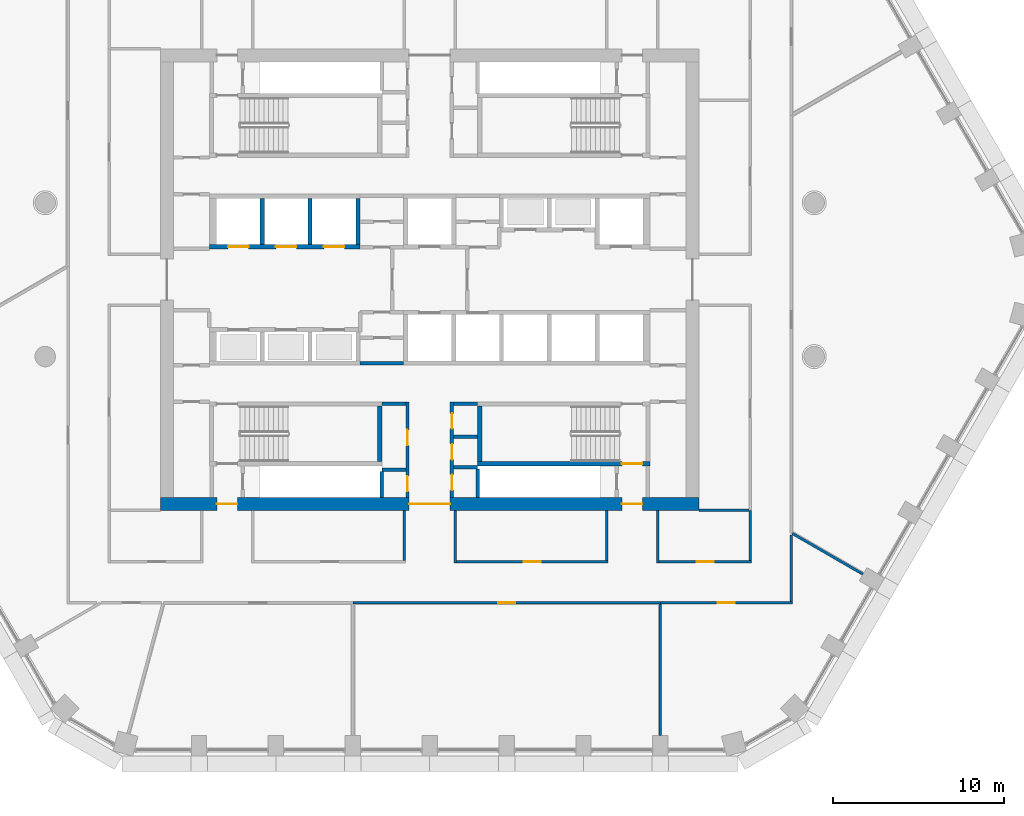
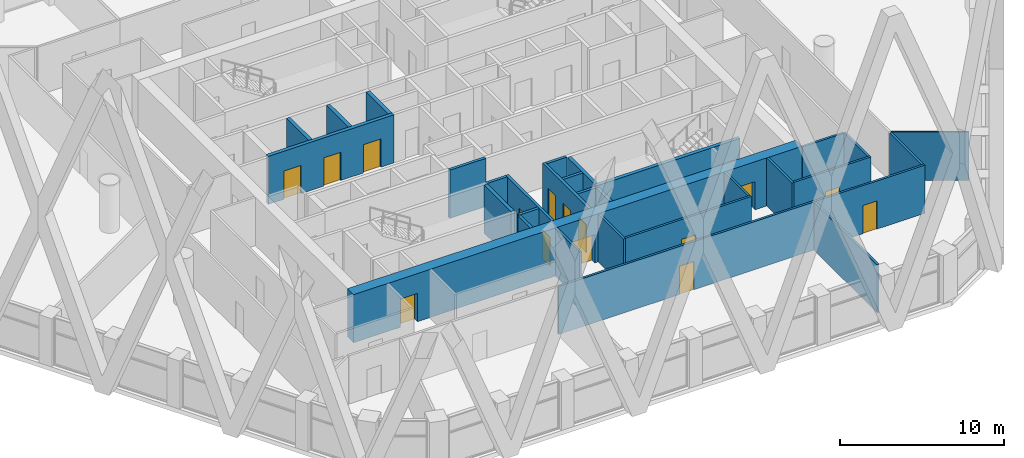
# One storey, part 10 of 24: 31 walls, 16 doors, 16 openings.
"""IFC4 building model written with IfcOpenShell, lengths in metres."""

import ifcopenshell
import ifcopenshell.guid

model = None  # the IFC model being written
_history = None  # IfcOwnerHistory: only IFC2X3 demands one
_inside = {}  # id of a spatial element -> (the spatial element, [elements in it])
_under = {}  # id of a project, library or spatial element -> (it, [spatial elements below it])
_declared = {}  # id of a project -> (the project, [libraries it declares])
_typed = {}  # id of a type object -> (the type object, [elements of that type])
_made_of = {}  # id of a material, layer set ... -> (it, [elements and type objects made of it])


def new_model(schema):
    """Start an empty IFC model of exactly this schema.

    Asked for "IFC4X3", IfcOpenShell would pick the latest addendum, in which some entities
    have other attributes; the version numbers below select the first issue.
    IFC2X3 requires an IfcOwnerHistory on every rooted entity: one is made here for all.
    """
    global model, _history
    if schema == "IFC4X3":
        model = ifcopenshell.file(schema_version=(4, 3, 0, 0))
    else:
        model = ifcopenshell.file(schema=schema)
    _inside.clear()
    _under.clear()
    _declared.clear()
    _typed.clear()
    _made_of.clear()
    _history = None
    if model.schema == "IFC2X3":
        org = make("IfcOrganization", Name="unknown")
        user = make(
            "IfcPersonAndOrganization",
            ThePerson=make("IfcPerson", FamilyName="unknown"),
            TheOrganization=org,
        )
        app = make(
            "IfcApplication",
            ApplicationDeveloper=org,
            Version="unknown",
            ApplicationFullName="unknown",
            ApplicationIdentifier="unknown",
        )
        _history = make(
            "IfcOwnerHistory",
            OwningUser=user,
            OwningApplication=app,
            ChangeAction="ADDED",
            CreationDate=0,
        )
    return model


def make(cls, **values):
    """One entity of the class cls with the attributes given. An attribute that is None is left unset."""
    return model.create_entity(
        cls, **{name: value for name, value in values.items() if value is not None}
    )


def rooted(cls, **values):
    """An entity with a GlobalId (a new one), such as an element, a storey or a relation."""
    return make(cls, GlobalId=ifcopenshell.guid.new(), OwnerHistory=_history, **values)


def si_unit(unit_type, name, prefix=None):
    """IfcSIUnit, for example si_unit("LENGTHUNIT", "METRE", prefix="MILLI")."""
    return make("IfcSIUnit", UnitType=unit_type, Prefix=prefix, Name=name)


def assignment(units):
    """IfcUnitAssignment: the units of a project."""
    return None if units is None else make("IfcUnitAssignment", Units=units)


def point(xyz):
    """IfcCartesianPoint."""
    return None if xyz is None else make("IfcCartesianPoint", Coordinates=xyz)


def direction(xyz):
    """IfcDirection."""
    return None if xyz is None else make("IfcDirection", DirectionRatios=xyz)


def frame(location, z_axis=None, x_axis=None):
    """IfcAxis2Placement3D, a coordinate frame: its origin and axes. An axis left out is left unset."""
    return make(
        "IfcAxis2Placement3D",
        Location=point(location),
        Axis=direction(z_axis),
        RefDirection=direction(x_axis),
    )


def frame_2d(location, x_axis=None):
    """IfcAxis2Placement2D, a coordinate frame in the plane: its origin and x axis."""
    return make(
        "IfcAxis2Placement2D", Location=point(location), RefDirection=direction(x_axis)
    )


def origin():
    """The frame at (0, 0, 0) with its axes left unset."""
    return frame((0.0, 0.0, 0.0))


def place(relative_to, where):
    """IfcLocalPlacement: puts the frame where relative to a parent placement (None: the world)."""
    return make(
        "IfcLocalPlacement", PlacementRelTo=relative_to, RelativePlacement=where
    )


def context(
    kind, dimensions, precision=None, world=None, true_north=None, identifier=None
):
    """IfcGeometricRepresentationContext, for example the 3D "Model" context."""
    return make(
        "IfcGeometricRepresentationContext",
        ContextIdentifier=identifier,
        ContextType=kind,
        CoordinateSpaceDimension=dimensions,
        Precision=precision,
        WorldCoordinateSystem=world,
        TrueNorth=true_north,
    )


def subcontext(parent, identifier, kind, view, scale=None):
    """IfcGeometricRepresentationSubContext, for example "Body" below "Model"."""
    return make(
        "IfcGeometricRepresentationSubContext",
        ContextIdentifier=identifier,
        ContextType=kind,
        ParentContext=parent,
        TargetScale=scale,
        TargetView=view,
    )


def project(units=None, contexts=None):
    """IfcProject with its units and contexts."""
    return rooted(
        "IfcProject",
        Name="project",
        RepresentationContexts=contexts,
        UnitsInContext=assignment(units),
    )


def spatial(cls, under=None, at=None, **own):
    """A site, building, storey or space (cls), placed at a placement, below another one or the project."""
    s = rooted(cls, ObjectPlacement=at, **own)
    if under is not None:
        _under.setdefault(under.id(), (under, []))[1].append(s)
    return s


def polyline(points):
    """IfcPolyline through the points."""
    return make("IfcPolyline", Points=[point(p) for p in points])


def profile(cls, at=None, kind="AREA", **sizes):
    """A parametric profile (cls). Its sizes go by their IFC names, for example OverallWidth=200.0."""
    return make(cls, ProfileType=kind, Position=at, **sizes)


def rectangle(**sizes):
    """IfcRectangleProfileDef."""
    return profile("IfcRectangleProfileDef", **sizes)


def outline(outer, holes=None, kind="AREA"):
    """IfcArbitraryClosedProfileDef: a profile drawn as a closed curve; with holes, ...WithVoids."""
    if holes is None:
        return make("IfcArbitraryClosedProfileDef", ProfileType=kind, OuterCurve=outer)
    return make(
        "IfcArbitraryProfileDefWithVoids",
        ProfileType=kind,
        OuterCurve=outer,
        InnerCurves=holes,
    )


def extrude(swept, where, along, depth):
    """IfcExtrudedAreaSolid: the profile swept, set in the frame where, extruded along a direction by depth."""
    return make(
        "IfcExtrudedAreaSolid",
        SweptArea=swept,
        Position=where,
        ExtrudedDirection=direction(along),
        Depth=depth,
    )


def shape(context_of_items, identifier, shape_type, items):
    """IfcShapeRepresentation: the items that make up one representation, for example the "Body"."""
    return make(
        "IfcShapeRepresentation",
        ContextOfItems=context_of_items,
        RepresentationIdentifier=identifier,
        RepresentationType=shape_type,
        Items=items,
    )


def material(Name=None, Category=None):
    """IfcMaterial."""
    return make("IfcMaterial", Name=Name, Category=Category)


def layer(
    of_material, thickness, ventilated=None, Name=None, Category=None, Priority=None
):
    """IfcMaterialLayer: one layer of a wall or slab, of a material (None: an air gap)."""
    return make(
        "IfcMaterialLayer",
        Material=of_material,
        LayerThickness=thickness,
        IsVentilated=ventilated,
        Name=Name,
        Category=Category,
        Priority=Priority,
    )


def layer_set(layers, Name=None):
    """IfcMaterialLayerSet."""
    return make("IfcMaterialLayerSet", MaterialLayers=layers, LayerSetName=Name)


def made_of(thing, what):
    """Note that an element or type object is made of a material, layer set ...; save() writes the relation."""
    if what is not None:
        _made_of.setdefault(what.id(), (what, []))[1].append(thing)
    return thing


def type_object(cls, material=None, **own):
    """A type object (cls), such as IfcWallType, which elements share."""
    return made_of(rooted(cls, **own), material)


def element(
    cls,
    number,
    at=None,
    inside=None,
    cuts=None,
    type_object=None,
    material=None,
    context=None,
    identifier="Body",
    shape_type=None,
    held_by="IfcProductDefinitionShape",
    body=None,
    shapes=None,
    **own,
):
    """One element of the class cls, such as IfcWall. Its Tag is "e" and its number.

    at: its placement. inside: the storey or other place that contains it. cuts: it is an
    opening in that element (IfcRelVoidsElement). A single representation is given by context,
    identifier, shape_type and body (its items); several are given by shapes. held_by: the class
    of the entity that holds the representations. save() writes the other relations.
    """
    e = rooted(cls, Tag="e%d" % number, ObjectPlacement=at, **own)
    if body is not None:
        shapes = [shape(context, identifier, shape_type, body)]
    if shapes is not None:
        e.Representation = make(held_by, Representations=shapes)
    if inside is not None:
        _inside.setdefault(inside.id(), (inside, []))[1].append(e)
    if cuts is not None:
        rooted(
            "IfcRelVoidsElement", RelatingBuildingElement=cuts, RelatedOpeningElement=e
        )
    if type_object is not None:
        _typed.setdefault(type_object.id(), (type_object, []))[1].append(e)
    return made_of(e, material)


def fill(opening, filler):
    """IfcRelFillsElement: the door or window that sits in an opening."""
    return rooted(
        "IfcRelFillsElement",
        RelatingOpeningElement=opening,
        RelatedBuildingElement=filler,
    )


def aggregate(whole, parts):
    """IfcRelAggregates: a whole, such as a stair, and the parts it consists of."""
    return rooted("IfcRelAggregates", RelatingObject=whole, RelatedObjects=parts)


def save(model, path):
    """Write the relations noted so far, then the file.

    IfcRelAggregates (storeys below a building ...), IfcRelContainedInSpatialStructure (elements
    in a storey), IfcRelDefinesByType, IfcRelAssociatesMaterial and IfcRelDeclares: one each for
    every whole, place, type object, material and project.
    """
    for whole, parts in _under.values():
        aggregate(whole, parts)
    for where, things in _inside.values():
        rooted(
            "IfcRelContainedInSpatialStructure",
            RelatedElements=things,
            RelatingStructure=where,
        )
    for kind, things in _typed.values():
        rooted("IfcRelDefinesByType", RelatedObjects=things, RelatingType=kind)
    for what, things in _made_of.values():
        rooted("IfcRelAssociatesMaterial", RelatedObjects=things, RelatingMaterial=what)
    for by, libraries in _declared.values():
        rooted("IfcRelDeclares", RelatingContext=by, RelatedDefinitions=libraries)
    model.write(path)


model = new_model("IFC4")

# Units and contexts
model_context = context("Model", 3, precision=1e-05, world=origin(), true_north=direction((0.0, 1.0)))
body_context = subcontext(model_context, "Body", "Model", "MODEL_VIEW")
ifc_project = project(units=[si_unit("LENGTHUNIT", "METRE"), si_unit("AREAUNIT", "SQUARE_METRE"), si_unit("VOLUMEUNIT", "CUBIC_METRE"), si_unit("PLANEANGLEUNIT", "RADIAN"), si_unit("MASSUNIT", "GRAM", prefix="KILO")], contexts=[model_context])

# Site, building, storey
site_placement = place(None, origin())
site = spatial("IfcSite", under=ifc_project, at=site_placement, CompositionType="ELEMENT")
building_placement = place(site_placement, origin())
building = spatial("IfcBuilding", under=site, at=building_placement, Name="Dhurran Vertical Campus", CompositionType="ELEMENT")
storey_placement = place(building_placement, frame((0.0, 0.0, 132.60009765625)))
storey = spatial("IfcBuildingStorey", under=building, at=storey_placement, Name="L32", CompositionType="ELEMENT", Elevation=132.60009765625)

# Wall, openings, doors
ifc_material_1 = material(Name="Concrete C60/75", Category="concrete")
ifc_layer_1 = layer(ifc_material_1, 0.75)
ifc_layer_set_1 = layer_set([ifc_layer_1], Name="Concrete C60/75")
wall_type_1 = type_object("IfcWallType", Name="co-CORE-WALL-C1-750", PredefinedType="SHEAR", material=ifc_layer_set_1)
wall_1_placement = place(storey_placement, frame((-15.75, -13.125, 0.0), z_axis=(0.0, 0.0, 1.0), x_axis=(1.0, 0.0, 0.0)))
wall_1 = element("IfcWall", 1, at=wall_1_placement, inside=storey, type_object=wall_type_1, Name="Core wall S L32", PredefinedType="SHEAR", context=body_context, shape_type="SweptSolid", body=[
    extrude(rectangle(XDim=31.5, YDim=0.75, at=frame_2d((15.75, 0.0))), origin(), (0.0, 0.0, 1.0), 3.574951171875),
])
opening_1_placement = place(wall_1_placement, frame((14.550048828125, 0.0, 0.0)))
opening_1 = element("IfcOpeningElement", 2, at=opening_1_placement, cuts=wall_1, Name="Opening CV2", PredefinedType="OPENING", context=body_context, shape_type="SweptSolid", body=[
    extrude(rectangle(XDim=2.39990234375, YDim=2.10009765625, at=frame_2d((1.199951171875, 1.050048828125))), frame((0.0, 0.385009765625, 0.0), z_axis=(0.0, -1.0, 0.0), x_axis=(1.0, 0.0, 0.0)), (0.0, 0.0, 1.0), 0.77001953125),
])
opening_2_placement = place(wall_1_placement, frame((3.300048828125, 0.0, 0.0)))
opening_2 = element("IfcOpeningElement", 3, at=opening_2_placement, cuts=wall_1, Name="Opening XD3", PredefinedType="OPENING", context=body_context, shape_type="SweptSolid", body=[
    extrude(rectangle(XDim=1.199951171875, YDim=2.10009765625, at=frame_2d((0.60009765625, 1.050048828125))), frame((0.0, 0.385009765625, 0.0), z_axis=(0.0, -1.0, 0.0), x_axis=(1.0, 0.0, 0.0)), (0.0, 0.0, 1.0), 0.77001953125),
])
opening_3_placement = place(wall_1_placement, frame((27.0, 0.0, 0.0)))
opening_3 = element("IfcOpeningElement", 4, at=opening_3_placement, cuts=wall_1, Name="Opening XD4", PredefinedType="OPENING", context=body_context, shape_type="SweptSolid", body=[
    extrude(rectangle(XDim=1.199951171875, YDim=2.10009765625, at=frame_2d((0.60009765625, 1.050048828125))), frame((0.0, 0.385009765625, 0.0), z_axis=(0.0, -1.0, 0.0), x_axis=(1.0, 0.0, 0.0)), (0.0, 0.0, 1.0), 0.77001953125),
])
ifc_material_2 = material(Name="Fire-rated glazed door set")
door_type_1 = type_object("IfcDoorType", Name="co-D-LOBBY 2400x2100", OperationType="DOUBLE_DOOR_DOUBLE_SWING", PredefinedType="DOOR", material=ifc_material_2)
door_1_placement = place(opening_1_placement, origin())
door_1 = element("IfcDoor", 5, at=door_1_placement, inside=storey, type_object=door_type_1, Name="Core vestibule door S L32", OperationType="DOUBLE_DOOR_DOUBLE_SWING", OverallHeight=2.10009765625, OverallWidth=2.39990234375, PredefinedType="DOOR", context=body_context, shape_type="SweptSolid", body=[
    extrude(rectangle(XDim=2.39990234375, YDim=2.10009765625, at=frame_2d((1.199951171875, 1.050048828125))), frame((0.0, 0.02490234375, 0.0), z_axis=(0.0, -1.0, 0.0), x_axis=(1.0, 0.0, 0.0)), (0.0, 0.0, 1.0), 0.050048828125),
])
fill(opening_1, door_1)
ifc_material_3 = material(Name="Fire-rated steel door set", Category="steel")
door_type_2 = type_object("IfcDoorType", Name="co-D-STAIR-EXIT 1200x2100", OperationType="SINGLE_SWING_RIGHT", PredefinedType="DOOR", material=ifc_material_3)
door_2_placement = place(opening_2_placement, origin())
door_2 = element("IfcDoor", 6, at=door_2_placement, inside=storey, type_object=door_type_2, Name="Stair ST3 exit door L32", OperationType="SINGLE_SWING_RIGHT", OverallHeight=2.10009765625, OverallWidth=1.199951171875, PredefinedType="DOOR", context=body_context, shape_type="SweptSolid", body=[
    extrude(rectangle(XDim=1.199951171875, YDim=2.10009765625, at=frame_2d((0.60009765625, 1.050048828125))), frame((0.0, 0.02490234375, 0.0), z_axis=(0.0, -1.0, 0.0), x_axis=(1.0, 0.0, 0.0)), (0.0, 0.0, 1.0), 0.050048828125),
])
fill(opening_2, door_2)
door_3_placement = place(opening_3_placement, origin())
door_3 = element("IfcDoor", 7, at=door_3_placement, inside=storey, type_object=door_type_2, Name="Stair ST4 exit door L32", OperationType="SINGLE_SWING_RIGHT", OverallHeight=2.10009765625, OverallWidth=1.199951171875, PredefinedType="DOOR", context=body_context, shape_type="SweptSolid", body=[
    extrude(rectangle(XDim=1.199951171875, YDim=2.10009765625, at=frame_2d((0.60009765625, 1.050048828125))), frame((0.0, 0.02490234375, 0.0), z_axis=(0.0, -1.0, 0.0), x_axis=(1.0, 0.0, 0.0)), (0.0, 0.0, 1.0), 0.050048828125),
])
fill(opening_3, door_3)

# Walls
ifc_material_4 = material(Name="Fire-rated masonry blockwork", Category="masonry")
ifc_layer_2 = layer(ifc_material_4, 0.199951171875)
ifc_layer_set_2 = layer_set([ifc_layer_2], Name="Fire-rated masonry blockwork")
wall_type_2 = type_object("IfcWallType", Name="co-FIRE-PARTITION-200", PredefinedType="PARTITIONING", material=ifc_layer_set_2)
for number, where, z_axis, x_axis, name in (
    (8, (-2.800048828125, -7.25, 0.0), (0.0, 0.0, 1.0), (1.0, 0.0, 0.0), "Core partition sl-SW-S L32"),
    (9, (-2.800048828125, -11.1298828125, 0.0), (0.0, 0.0, 1.0), (1.0, 0.0, 0.0), "Core partition sl-SW-cut0 L32"),
    (10, (1.39990234375, -7.25, 0.0), (0.0, 0.0, 1.0), (1.0, 0.0, 0.0), "Core partition sl-SE-S L32"),
    (11, (1.39990234375, -9.18603515625, 0.0), (0.0, 0.0, 1.0), (1.0, 0.0, 0.0), "Core partition sl-SE-cut0 L32"),
    (12, (1.39990234375, -10.968017578125, 0.0), (0.0, 0.0, 1.0), (1.0, 0.0, 0.0), "Core partition sl-SE-cut1 L32"),
):
    element("IfcWall", number, at=place(storey_placement, frame(where, z_axis=z_axis, x_axis=x_axis)), inside=storey, type_object=wall_type_2, Name=name, PredefinedType="PARTITIONING", context=body_context, shape_type="SweptSolid", body=[
        extrude(rectangle(XDim=1.400146484375, YDim=0.199951171875, at=frame_2d((0.7001953125, 0.0))), origin(), (0.0, 0.0, 1.0), 3.574951171875),
    ])

# Wall, openings, doors
wall_2_placement = place(storey_placement, frame((-1.300048828125, -12.75, 0.0), z_axis=(0.0, 0.0, 1.0), x_axis=(0.0, 1.0, 0.0)))
wall_2 = element("IfcWall", 13, at=wall_2_placement, inside=storey, type_object=wall_type_2, Name="Core partition vest-SW L32", PredefinedType="PARTITIONING", context=body_context, shape_type="SweptSolid", body=[
    extrude(rectangle(XDim=5.60009765625, YDim=0.199951171875, at=frame_2d((2.800048828125, 0.0))), origin(), (0.0, 0.0, 1.0), 3.574951171875),
])
opening_4_placement = place(wall_2_placement, frame((0.360107421875, 0.0, 0.0)))
opening_4 = element("IfcOpeningElement", 14, at=opening_4_placement, cuts=wall_2, Name="Opening T09-C1", PredefinedType="OPENING", context=body_context, shape_type="SweptSolid", body=[
    extrude(rectangle(XDim=0.89990234375, YDim=2.10009765625, at=frame_2d((0.449951171875, 1.050048828125))), frame((0.0, 0.10986328125, 0.0), z_axis=(0.0, -1.0, 0.0), x_axis=(1.0, 0.0, 0.0)), (0.0, 0.0, 1.0), 0.219970703125),
])
opening_5_placement = place(wall_2_placement, frame((3.06005859375, 0.0, 0.0)))
opening_5 = element("IfcOpeningElement", 15, at=opening_5_placement, cuts=wall_2, Name="Opening T09-C2", PredefinedType="OPENING", context=body_context, shape_type="SweptSolid", body=[
    extrude(rectangle(XDim=0.89990234375, YDim=2.10009765625, at=frame_2d((0.449951171875, 1.050048828125))), frame((0.0, 0.10986328125, 0.0), z_axis=(0.0, -1.0, 0.0), x_axis=(1.0, 0.0, 0.0)), (0.0, 0.0, 1.0), 0.219970703125),
])
ifc_material_5 = material(Name="Fire-rated timber door set", Category="wood")
door_type_3 = type_object("IfcDoorType", Name="co-D-ROOM 900x2100", OperationType="SINGLE_SWING_LEFT", PredefinedType="DOOR", material=ifc_material_5)
door_4_placement = place(opening_4_placement, origin())
door_4 = element("IfcDoor", 16, at=door_4_placement, inside=storey, type_object=door_type_3, Name="Pantry door L32", OperationType="SINGLE_SWING_LEFT", OverallHeight=2.10009765625, OverallWidth=0.89990234375, PredefinedType="DOOR", context=body_context, shape_type="SweptSolid", body=[
    extrude(rectangle(XDim=0.89990234375, YDim=2.10009765625, at=frame_2d((0.449951171875, 1.050048828125))), frame((0.0, 0.02490234375, 0.0), z_axis=(0.0, -1.0, 0.0), x_axis=(1.0, 0.0, 0.0)), (0.0, 0.0, 1.0), 0.050048828125),
])
fill(opening_4, door_4)
door_5_placement = place(opening_5_placement, origin())
door_5 = element("IfcDoor", 17, at=door_5_placement, inside=storey, type_object=door_type_3, Name="Communications room door L32", OperationType="SINGLE_SWING_LEFT", OverallHeight=2.10009765625, OverallWidth=0.89990234375, PredefinedType="DOOR", context=body_context, shape_type="SweptSolid", body=[
    extrude(rectangle(XDim=0.89990234375, YDim=2.10009765625, at=frame_2d((0.449951171875, 1.050048828125))), frame((0.0, 0.02490234375, 0.0), z_axis=(0.0, -1.0, 0.0), x_axis=(1.0, 0.0, 0.0)), (0.0, 0.0, 1.0), 0.050048828125),
])
fill(opening_5, door_5)

wall_3_placement = place(storey_placement, frame((1.300048828125, -12.75, 0.0), z_axis=(0.0, 0.0, 1.0), x_axis=(0.0, 1.0, 0.0)))
wall_3 = element("IfcWall", 18, at=wall_3_placement, inside=storey, type_object=wall_type_2, Name="Core partition vest-SE L32", PredefinedType="PARTITIONING", context=body_context, shape_type="SweptSolid", body=[
    extrude(rectangle(XDim=5.60009765625, YDim=0.199951171875, at=frame_2d((2.800048828125, 0.0))), origin(), (0.0, 0.0, 1.0), 3.574951171875),
])
opening_6_placement = place(wall_3_placement, frame((0.44091796875, 0.0, 0.0)))
opening_6 = element("IfcOpeningElement", 19, at=opening_6_placement, cuts=wall_3, Name="Opening T09-C3", PredefinedType="OPENING", context=body_context, shape_type="SweptSolid", body=[
    extrude(rectangle(XDim=0.89990234375, YDim=2.10009765625, at=frame_2d((0.449951171875, 1.050048828125))), frame((0.0, 0.10986328125, 0.0), z_axis=(0.0, -1.0, 0.0), x_axis=(1.0, 0.0, 0.0)), (0.0, 0.0, 1.0), 0.219970703125),
])
opening_7_placement = place(wall_3_placement, frame((2.222900390625, 0.0, 0.0)))
opening_7 = element("IfcOpeningElement", 20, at=opening_7_placement, cuts=wall_3, Name="Opening T09-C4", PredefinedType="OPENING", context=body_context, shape_type="SweptSolid", body=[
    extrude(rectangle(XDim=0.89990234375, YDim=2.10009765625, at=frame_2d((0.449951171875, 1.050048828125))), frame((0.0, 0.10986328125, 0.0), z_axis=(0.0, -1.0, 0.0), x_axis=(1.0, 0.0, 0.0)), (0.0, 0.0, 1.0), 0.219970703125),
])
opening_8_placement = place(wall_3_placement, frame((4.031982421875, 0.0, 0.0)))
opening_8 = element("IfcOpeningElement", 21, at=opening_8_placement, cuts=wall_3, Name="Opening T09-C5", PredefinedType="OPENING", context=body_context, shape_type="SweptSolid", body=[
    extrude(rectangle(XDim=0.89990234375, YDim=2.10009765625, at=frame_2d((0.449951171875, 1.050048828125))), frame((0.0, 0.10986328125, 0.0), z_axis=(0.0, -1.0, 0.0), x_axis=(1.0, 0.0, 0.0)), (0.0, 0.0, 1.0), 0.219970703125),
])
door_6_placement = place(opening_6_placement, origin())
door_6 = element("IfcDoor", 22, at=door_6_placement, inside=storey, type_object=door_type_3, Name="Waste room door L32", OperationType="SINGLE_SWING_LEFT", OverallHeight=2.10009765625, OverallWidth=0.89990234375, PredefinedType="DOOR", context=body_context, shape_type="SweptSolid", body=[
    extrude(rectangle(XDim=0.89990234375, YDim=2.10009765625, at=frame_2d((0.449951171875, 1.050048828125))), frame((0.0, 0.02490234375, 0.0), z_axis=(0.0, -1.0, 0.0), x_axis=(1.0, 0.0, 0.0)), (0.0, 0.0, 1.0), 0.050048828125),
])
fill(opening_6, door_6)
door_7_placement = place(opening_7_placement, origin())
door_7 = element("IfcDoor", 23, at=door_7_placement, inside=storey, type_object=door_type_3, Name="Fire equipment store door L32", OperationType="SINGLE_SWING_LEFT", OverallHeight=2.10009765625, OverallWidth=0.89990234375, PredefinedType="DOOR", context=body_context, shape_type="SweptSolid", body=[
    extrude(rectangle(XDim=0.89990234375, YDim=2.10009765625, at=frame_2d((0.449951171875, 1.050048828125))), frame((0.0, 0.02490234375, 0.0), z_axis=(0.0, -1.0, 0.0), x_axis=(1.0, 0.0, 0.0)), (0.0, 0.0, 1.0), 0.050048828125),
])
fill(opening_7, door_7)
door_8_placement = place(opening_8_placement, origin())
door_8 = element("IfcDoor", 24, at=door_8_placement, inside=storey, type_object=door_type_3, Name="Server room door L32", OperationType="SINGLE_SWING_LEFT", OverallHeight=2.10009765625, OverallWidth=0.89990234375, PredefinedType="DOOR", context=body_context, shape_type="SweptSolid", body=[
    extrude(rectangle(XDim=0.89990234375, YDim=2.10009765625, at=frame_2d((0.449951171875, 1.050048828125))), frame((0.0, 0.02490234375, 0.0), z_axis=(0.0, -1.0, 0.0), x_axis=(1.0, 0.0, 0.0)), (0.0, 0.0, 1.0), 0.050048828125),
])
fill(opening_8, door_8)

# Walls
wall_4_placement = place(storey_placement, frame((-4.074951171875, -4.89990234375, 0.0), z_axis=(0.0, 0.0, 1.0), x_axis=(1.0, 0.0, 0.0)))
element("IfcWall", 25, at=wall_4_placement, inside=storey, type_object=wall_type_2, Name="Core partition fr-S0-b L32", PredefinedType="PARTITIONING", context=body_context, shape_type="SweptSolid", body=[
    extrude(rectangle(XDim=2.550048828125, YDim=0.199951171875, at=frame_2d((1.27490234375, 0.0))), origin(), (0.0, 0.0, 1.0), 3.574951171875),
])
wall_5_placement = place(storey_placement, frame((-2.800048828125, -12.7490234375, 0.0), z_axis=(0.0, 0.0, 1.0), x_axis=(0.0, 1.0, 0.0)))
element("IfcWall", 26, at=wall_5_placement, inside=storey, type_object=wall_type_2, Name="Riser enclosure wall L32", PredefinedType="PARTITIONING", context=body_context, shape_type="SweptSolid", body=[
    extrude(rectangle(XDim=1.51806640625, YDim=0.199951171875, at=frame_2d((0.759033203125, 0.0))), origin(), (0.0, 0.0, 1.0), 3.574951171875),
])
wall_6_placement = place(storey_placement, frame((2.800048828125, -11.069091796875, 0.0), z_axis=(0.0, 0.0, 1.0), x_axis=(0.0, -1.0, 0.0)))
element("IfcWall", 27, at=wall_6_placement, inside=storey, type_object=wall_type_2, Name="Riser enclosure wall L32", PredefinedType="PARTITIONING", context=body_context, shape_type="SweptSolid", body=[
    extrude(rectangle(XDim=1.679931640625, YDim=0.199951171875, at=frame_2d((0.83984375, 0.0))), origin(), (0.0, 0.0, 1.0), 3.574951171875),
])

# Wall, openings, doors
ifc_material_6 = material(Name="Concrete C50/60", Category="concrete")
ifc_layer_3 = layer(ifc_material_6, 0.25)
ifc_layer_set_3 = layer_set([ifc_layer_3], Name="Concrete C50/60")
wall_type_3 = type_object("IfcWallType", Name="co-SHAFT-FRONT-250", PredefinedType="SHEAR", material=ifc_layer_set_3)
wall_7_placement = place(storey_placement, frame((-12.89990234375, 1.925048828125, 0.0), z_axis=(0.0, 0.0, 1.0), x_axis=(1.0, 0.0, 0.0)))
wall_7 = element("IfcWall", 28, at=wall_7_placement, inside=storey, type_object=wall_type_3, Name="Lift landing wall N L32", PredefinedType="SHEAR", context=body_context, shape_type="SweptSolid", body=[
    extrude(rectangle(XDim=8.824951171875, YDim=0.25, at=frame_2d((4.41259765625, 0.0))), origin(), (0.0, 0.0, 1.0), 3.574951171875),
])
opening_9_placement = place(wall_7_placement, frame((1.10009765625, 0.0, 0.0)))
opening_9 = element("IfcOpeningElement", 29, at=opening_9_placement, cuts=wall_7, Name="Opening LD", PredefinedType="OPENING", context=body_context, shape_type="SweptSolid", body=[
    extrude(rectangle(XDim=1.199951171875, YDim=2.10009765625, at=frame_2d((0.60009765625, 1.050048828125))), frame((0.0, 0.135009765625, 0.0), z_axis=(0.0, -1.0, 0.0), x_axis=(1.0, 0.0, 0.0)), (0.0, 0.0, 1.0), 0.27001953125),
])
opening_10_placement = place(wall_7_placement, frame((3.89990234375, 0.0, 0.0)))
opening_10 = element("IfcOpeningElement", 30, at=opening_10_placement, cuts=wall_7, Name="Opening LD", PredefinedType="OPENING", context=body_context, shape_type="SweptSolid", body=[
    extrude(rectangle(XDim=1.199951171875, YDim=2.10009765625, at=frame_2d((0.60009765625, 1.050048828125))), frame((0.0, 0.135009765625, 0.0), z_axis=(0.0, -1.0, 0.0), x_axis=(1.0, 0.0, 0.0)), (0.0, 0.0, 1.0), 0.27001953125),
])
opening_11_placement = place(wall_7_placement, frame((6.699951171875, 0.0, 0.0)))
opening_11 = element("IfcOpeningElement", 31, at=opening_11_placement, cuts=wall_7, Name="Opening LD", PredefinedType="OPENING", context=body_context, shape_type="SweptSolid", body=[
    extrude(rectangle(XDim=1.199951171875, YDim=2.10009765625, at=frame_2d((0.60009765625, 1.050048828125))), frame((0.0, 0.135009765625, 0.0), z_axis=(0.0, -1.0, 0.0), x_axis=(1.0, 0.0, 0.0)), (0.0, 0.0, 1.0), 0.27001953125),
])
ifc_material_7 = material(Name="Stainless steel landing door", Category="steel")
door_type_4 = type_object("IfcDoorType", Name="co-D-LANDING 1200x2100", OperationType="DOUBLE_DOOR_SLIDING", PredefinedType="DOOR", material=ifc_material_7)
door_9_placement = place(opening_9_placement, origin())
door_9 = element("IfcDoor", 32, at=door_9_placement, inside=storey, type_object=door_type_4, Name="Landing door SA1 L32", OperationType="DOUBLE_DOOR_SLIDING", OverallHeight=2.10009765625, OverallWidth=1.199951171875, PredefinedType="DOOR", context=body_context, shape_type="SweptSolid", body=[
    extrude(rectangle(XDim=1.199951171875, YDim=2.10009765625, at=frame_2d((0.60009765625, 1.050048828125))), frame((0.0, 0.02490234375, 0.0), z_axis=(0.0, -1.0, 0.0), x_axis=(1.0, 0.0, 0.0)), (0.0, 0.0, 1.0), 0.050048828125),
])
fill(opening_9, door_9)
door_10_placement = place(opening_10_placement, origin())
door_10 = element("IfcDoor", 33, at=door_10_placement, inside=storey, type_object=door_type_4, Name="Landing door SA2 L32", OperationType="DOUBLE_DOOR_SLIDING", OverallHeight=2.10009765625, OverallWidth=1.199951171875, PredefinedType="DOOR", context=body_context, shape_type="SweptSolid", body=[
    extrude(rectangle(XDim=1.199951171875, YDim=2.10009765625, at=frame_2d((0.60009765625, 1.050048828125))), frame((0.0, 0.02490234375, 0.0), z_axis=(0.0, -1.0, 0.0), x_axis=(1.0, 0.0, 0.0)), (0.0, 0.0, 1.0), 0.050048828125),
])
fill(opening_10, door_10)
door_11_placement = place(opening_11_placement, origin())
door_11 = element("IfcDoor", 34, at=door_11_placement, inside=storey, type_object=door_type_4, Name="Landing door SA3 L32", OperationType="DOUBLE_DOOR_SLIDING", OverallHeight=2.10009765625, OverallWidth=1.199951171875, PredefinedType="DOOR", context=body_context, shape_type="SweptSolid", body=[
    extrude(rectangle(XDim=1.199951171875, YDim=2.10009765625, at=frame_2d((0.60009765625, 1.050048828125))), frame((0.0, 0.02490234375, 0.0), z_axis=(0.0, -1.0, 0.0), x_axis=(1.0, 0.0, 0.0)), (0.0, 0.0, 1.0), 0.050048828125),
])
fill(opening_11, door_11)

# Walls
ifc_material_8 = material(Name="Concrete C50/60", Category="concrete")
ifc_layer_4 = layer(ifc_material_8, 0.25)
ifc_layer_set_4 = layer_set([ifc_layer_4], Name="Concrete C50/60")
wall_type_4 = type_object("IfcWallType", Name="co-SHAFT-MASS-250", PredefinedType="SHEAR", material=ifc_layer_set_4)
wall_8_placement = place(storey_placement, origin())
element("IfcWall", 35, at=wall_8_placement, inside=storey, type_object=wall_type_4, Name="Lift shaft wall N L32 5", PredefinedType="SHEAR", context=body_context, shape_type="SweptSolid", body=[
    extrude(outline(polyline([(-9.925048828125, 2.050048828125), (-9.675048828125, 2.050048828125), (-9.675048828125, 4.75), (-9.925048828125, 4.75), (-9.925048828125, 2.050048828125)])), origin(), (0.0, 0.0, 1.0), 3.574951171875),
])
wall_9_placement = place(storey_placement, origin())
element("IfcWall", 36, at=wall_9_placement, inside=storey, type_object=wall_type_4, Name="Lift shaft wall N L32 6", PredefinedType="SHEAR", context=body_context, shape_type="SweptSolid", body=[
    extrude(outline(polyline([(-7.125, 2.050048828125), (-6.875, 2.050048828125), (-6.875, 4.75), (-7.125, 4.75), (-7.125, 2.050048828125)])), origin(), (0.0, 0.0, 1.0), 3.574951171875),
])
wall_10_placement = place(storey_placement, origin())
element("IfcWall", 37, at=wall_10_placement, inside=storey, type_object=wall_type_4, Name="Lift shaft wall N L32 7", PredefinedType="SHEAR", context=body_context, shape_type="SweptSolid", body=[
    extrude(outline(polyline([(-4.324951171875, 2.050048828125), (-4.074951171875, 2.050048828125), (-4.074951171875, 4.75), (-4.324951171875, 4.75), (-4.324951171875, 2.050048828125)])), origin(), (0.0, 0.0, 1.0), 3.574951171875),
])
ifc_material_9 = material(Name="Concrete C40/50", Category="concrete")
ifc_layer_5 = layer(ifc_material_9, 0.25)
ifc_layer_set_5 = layer_set([ifc_layer_5], Name="Concrete C40/50")
wall_type_5 = type_object("IfcWallType", Name="co-STAIR-WALL-250", PredefinedType="SHEAR", material=ifc_layer_set_5)
wall_11_placement = place(storey_placement, frame((-2.925048828125, -10.64990234375, 0.0), z_axis=(0.0, 0.0, 1.0), x_axis=(0.0, 1.0, 0.0)))
element("IfcWall", 38, at=wall_11_placement, inside=storey, type_object=wall_type_5, Name="Stair ST3 enclosure wall L32", PredefinedType="SHEAR", context=body_context, shape_type="SweptSolid", body=[
    extrude(rectangle(XDim=3.25, YDim=0.25, at=frame_2d((1.625, 0.0))), origin(), (0.0, 0.0, 1.0), 3.574951171875),
])

# Wall, opening, door
wall_12_placement = place(storey_placement, frame((2.800048828125, -10.77490234375, 0.0), z_axis=(0.0, 0.0, 1.0), x_axis=(1.0, 0.0, 0.0)))
wall_12 = element("IfcWall", 39, at=wall_12_placement, inside=storey, type_object=wall_type_5, Name="Stair ST4 enclosure wall L32", PredefinedType="SHEAR", context=body_context, shape_type="SweptSolid", body=[
    extrude(rectangle(XDim=10.099853515625, YDim=0.25, at=frame_2d((5.0498046875, 0.0))), origin(), (0.0, 0.0, 1.0), 3.574951171875),
])
opening_12_placement = place(wall_12_placement, frame((8.449951171875, 0.0, 0.0)))
opening_12 = element("IfcOpeningElement", 40, at=opening_12_placement, cuts=wall_12, Name="Opening XS4", PredefinedType="OPENING", context=body_context, shape_type="SweptSolid", body=[
    extrude(rectangle(XDim=1.199951171875, YDim=2.10009765625, at=frame_2d((0.60009765625, 1.050048828125))), frame((0.0, 0.135009765625, 0.0), z_axis=(0.0, -1.0, 0.0), x_axis=(1.0, 0.0, 0.0)), (0.0, 0.0, 1.0), 0.27001953125),
])
door_12_placement = place(opening_12_placement, origin())
door_12 = element("IfcDoor", 41, at=door_12_placement, inside=storey, type_object=door_type_2, Name="Stair ST4 discharge door L32", OperationType="SINGLE_SWING_RIGHT", OverallHeight=2.10009765625, OverallWidth=1.199951171875, PredefinedType="DOOR", context=body_context, shape_type="SweptSolid", body=[
    extrude(rectangle(XDim=1.199951171875, YDim=2.10009765625, at=frame_2d((0.60009765625, 1.050048828125))), frame((0.0, 0.02490234375, 0.0), z_axis=(0.0, -1.0, 0.0), x_axis=(1.0, 0.0, 0.0)), (0.0, 0.0, 1.0), 0.050048828125),
])
fill(opening_12, door_12)

# Wall
wall_13_placement = place(storey_placement, frame((2.925048828125, -10.64990234375, 0.0), z_axis=(0.0, 0.0, 1.0), x_axis=(0.0, 1.0, 0.0)))
element("IfcWall", 42, at=wall_13_placement, inside=storey, type_object=wall_type_5, Name="Stair ST4 enclosure wall L32", PredefinedType="SHEAR", context=body_context, shape_type="SweptSolid", body=[
    extrude(rectangle(XDim=3.25, YDim=0.25, at=frame_2d((1.625, 0.0))), origin(), (0.0, 0.0, 1.0), 3.574951171875),
])

# Wall, opening, door
ifc_material_10 = material(Name="Gypsum board corridor wall on steel studs", Category="steel")
ifc_layer_6 = layer(ifc_material_10, 0.14990234375)
ifc_layer_set_6 = layer_set([ifc_layer_6], Name="Gypsum board corridor wall on steel studs")
wall_type_6 = type_object("IfcWallType", Name="fl-CW-150 corridor wall", PredefinedType="PARTITIONING", material=ifc_layer_set_6)
wall_14_placement = place(storey_placement, frame((-4.5, -18.89990234375, 0.0), z_axis=(0.0, 0.0, 1.0), x_axis=(1.0, 0.0, 0.0)))
wall_14 = element("IfcWall", 43, at=wall_14_placement, inside=storey, type_object=wall_type_6, Name="Partition 32-31", PredefinedType="PARTITIONING", context=body_context, shape_type="SweptSolid", body=[
    extrude(rectangle(XDim=18.0, YDim=0.14990234375, at=frame_2d((9.0, 0.0))), origin(), (0.0, 0.0, 1.0), 3.574951171875),
])
opening_13_placement = place(wall_14_placement, frame((8.5, 0.0, 0.0)))
opening_13 = element("IfcOpeningElement", 44, at=opening_13_placement, cuts=wall_14, Name="Opening T09.13", PredefinedType="OPENING", context=body_context, shape_type="SweptSolid", body=[
    extrude(rectangle(XDim=1.0, YDim=2.10009765625, at=frame_2d((0.5, 1.050048828125))), frame((0.0, 0.0849609375, 0.0), z_axis=(0.0, -1.0, 0.0), x_axis=(1.0, 0.0, 0.0)), (0.0, 0.0, 1.0), 0.169921875),
])
ifc_material_11 = material(Name="Solid-core timber door set, fire-rated", Category="wood")
door_type_5 = type_object("IfcDoorType", Name="fl-D-1000x2100", OperationType="SINGLE_SWING_LEFT", PredefinedType="DOOR", material=ifc_material_11)
door_13_placement = place(opening_13_placement, origin())
door_13 = element("IfcDoor", 45, at=door_13_placement, inside=storey, type_object=door_type_5, Name="Door 32.13", OperationType="SINGLE_SWING_LEFT", OverallHeight=2.10009765625, OverallWidth=1.0, PredefinedType="DOOR", context=body_context, shape_type="SweptSolid", body=[
    extrude(rectangle(XDim=1.0, YDim=2.10009765625, at=frame_2d((0.5, 1.050048828125))), frame((0.0, 0.02490234375, 0.0), z_axis=(0.0, -1.0, 0.0), x_axis=(1.0, 0.0, 0.0)), (0.0, 0.0, 1.0), 0.050048828125),
])
fill(opening_13, door_13)

# Walls
wall_15_placement = place(storey_placement, frame((-1.5, -13.5, 0.0), z_axis=(0.0, 0.0, 1.0), x_axis=(0.0, -1.0, 0.0)))
element("IfcWall", 46, at=wall_15_placement, inside=storey, type_object=wall_type_6, Name="Partition 32-32", PredefinedType="PARTITIONING", context=body_context, shape_type="SweptSolid", body=[
    extrude(rectangle(XDim=2.925048828125, YDim=0.14990234375, at=frame_2d((1.46240234375, 0.0))), origin(), (0.0, 0.0, 1.0), 3.574951171875),
])
wall_16_placement = place(storey_placement, frame((1.5, -16.574951171875, 0.0), z_axis=(0.0, 0.0, 1.0), x_axis=(0.0, 1.0, 0.0)))
element("IfcWall", 47, at=wall_16_placement, inside=storey, type_object=wall_type_6, Name="Partition 32-34", PredefinedType="PARTITIONING", context=body_context, shape_type="SweptSolid", body=[
    extrude(rectangle(XDim=3.074951171875, YDim=0.14990234375, at=frame_2d((1.53759765625, 0.0))), origin(), (0.0, 0.0, 1.0), 3.574951171875),
])

# Wall, opening, door
wall_17_placement = place(storey_placement, frame((10.425048828125, -16.5, 0.0), z_axis=(0.0, 0.0, 1.0), x_axis=(-1.0, 0.0, 0.0)))
wall_17 = element("IfcWall", 48, at=wall_17_placement, inside=storey, type_object=wall_type_6, Name="Partition 32-35", PredefinedType="PARTITIONING", context=body_context, shape_type="SweptSolid", body=[
    extrude(rectangle(XDim=8.85009765625, YDim=0.14990234375, at=frame_2d((4.425048828125, 0.0))), origin(), (0.0, 0.0, 1.0), 3.574951171875),
])
opening_14_placement = place(wall_17_placement, frame((3.925048828125, 0.0, 0.0)))
opening_14 = element("IfcOpeningElement", 49, at=opening_14_placement, cuts=wall_17, Name="Opening T09.14", PredefinedType="OPENING", context=body_context, shape_type="SweptSolid", body=[
    extrude(rectangle(XDim=1.0, YDim=2.10009765625, at=frame_2d((0.5, 1.050048828125))), frame((0.0, 0.0849609375, 0.0), z_axis=(0.0, -1.0, 0.0), x_axis=(1.0, 0.0, 0.0)), (0.0, 0.0, 1.0), 0.169921875),
])
door_14_placement = place(opening_14_placement, origin())
door_14 = element("IfcDoor", 50, at=door_14_placement, inside=storey, type_object=door_type_5, Name="Door 32.14", OperationType="SINGLE_SWING_RIGHT", OverallHeight=2.10009765625, OverallWidth=1.0, PredefinedType="DOOR", context=body_context, shape_type="SweptSolid", body=[
    extrude(rectangle(XDim=1.0, YDim=2.10009765625, at=frame_2d((0.5, 1.050048828125))), frame((0.0, 0.02490234375, 0.0), z_axis=(0.0, -1.0, 0.0), x_axis=(1.0, 0.0, 0.0)), (0.0, 0.0, 1.0), 0.050048828125),
])
fill(opening_14, door_14)

# Walls
wall_18_placement = place(storey_placement, frame((10.35009765625, -13.5, 0.0), z_axis=(0.0, 0.0, 1.0), x_axis=(0.0, -1.0, 0.0)))
element("IfcWall", 51, at=wall_18_placement, inside=storey, type_object=wall_type_6, Name="Partition 32-40", PredefinedType="PARTITIONING", context=body_context, shape_type="SweptSolid", body=[
    extrude(rectangle(XDim=2.925048828125, YDim=0.14990234375, at=frame_2d((1.46240234375, 0.0))), origin(), (0.0, 0.0, 1.0), 3.574951171875),
])
wall_19_placement = place(storey_placement, frame((13.35009765625, -16.574951171875, 0.0), z_axis=(0.0, 0.0, 1.0), x_axis=(0.0, 1.0, 0.0)))
element("IfcWall", 52, at=wall_19_placement, inside=storey, type_object=wall_type_6, Name="Partition 32-42", PredefinedType="PARTITIONING", context=body_context, shape_type="SweptSolid", body=[
    extrude(rectangle(XDim=3.074951171875, YDim=0.14990234375, at=frame_2d((1.53759765625, 0.0))), origin(), (0.0, 0.0, 1.0), 3.574951171875),
])

# Wall, opening, door
wall_20_placement = place(storey_placement, frame((18.824951171875, -16.5, 0.0), z_axis=(0.0, 0.0, 1.0), x_axis=(-1.0, 0.0, 0.0)))
wall_20 = element("IfcWall", 53, at=wall_20_placement, inside=storey, type_object=wall_type_6, Name="Partition 32-43", PredefinedType="PARTITIONING", context=body_context, shape_type="SweptSolid", body=[
    extrude(rectangle(XDim=5.39990234375, YDim=0.14990234375, at=frame_2d((2.699951171875, 0.0))), origin(), (0.0, 0.0, 1.0), 3.574951171875),
])
opening_15_placement = place(wall_20_placement, frame((2.199951171875, 0.0, 0.0)))
opening_15 = element("IfcOpeningElement", 54, at=opening_15_placement, cuts=wall_20, Name="Opening T09.17", PredefinedType="OPENING", context=body_context, shape_type="SweptSolid", body=[
    extrude(rectangle(XDim=1.0, YDim=2.10009765625, at=frame_2d((0.5, 1.050048828125))), frame((0.0, 0.0849609375, 0.0), z_axis=(0.0, -1.0, 0.0), x_axis=(1.0, 0.0, 0.0)), (0.0, 0.0, 1.0), 0.169921875),
])
door_15_placement = place(opening_15_placement, origin())
door_15 = element("IfcDoor", 55, at=door_15_placement, inside=storey, type_object=door_type_5, Name="Door 32.17", OperationType="SINGLE_SWING_RIGHT", OverallHeight=2.10009765625, OverallWidth=1.0, PredefinedType="DOOR", context=body_context, shape_type="SweptSolid", body=[
    extrude(rectangle(XDim=1.0, YDim=2.10009765625, at=frame_2d((0.5, 1.050048828125))), frame((0.0, 0.02490234375, 0.0), z_axis=(0.0, -1.0, 0.0), x_axis=(1.0, 0.0, 0.0)), (0.0, 0.0, 1.0), 0.050048828125),
])
fill(opening_15, door_15)

wall_21_placement = place(storey_placement, frame((13.5, -18.89990234375, 0.0), z_axis=(0.0, 0.0, 1.0), x_axis=(1.0, 0.0, 0.0)))
wall_21 = element("IfcWall", 56, at=wall_21_placement, inside=storey, type_object=wall_type_6, Name="Partition 32-47", PredefinedType="PARTITIONING", context=body_context, shape_type="SweptSolid", body=[
    extrude(rectangle(XDim=7.72509765625, YDim=0.14990234375, at=frame_2d((3.862548828125, 0.0))), origin(), (0.0, 0.0, 1.0), 3.574951171875),
])
opening_16_placement = place(wall_21_placement, frame((3.362548828125, 0.0, 0.0)))
opening_16 = element("IfcOpeningElement", 57, at=opening_16_placement, cuts=wall_21, Name="Opening T09.21", PredefinedType="OPENING", context=body_context, shape_type="SweptSolid", body=[
    extrude(rectangle(XDim=1.0, YDim=2.10009765625, at=frame_2d((0.5, 1.050048828125))), frame((0.0, 0.0849609375, 0.0), z_axis=(0.0, -1.0, 0.0), x_axis=(1.0, 0.0, 0.0)), (0.0, 0.0, 1.0), 0.169921875),
])
door_16_placement = place(opening_16_placement, origin())
door_16 = element("IfcDoor", 58, at=door_16_placement, inside=storey, type_object=door_type_5, Name="Door 32.21", OperationType="SINGLE_SWING_LEFT", OverallHeight=2.10009765625, OverallWidth=1.0, PredefinedType="DOOR", context=body_context, shape_type="SweptSolid", body=[
    extrude(rectangle(XDim=1.0, YDim=2.10009765625, at=frame_2d((0.5, 1.050048828125))), frame((0.0, 0.02490234375, 0.0), z_axis=(0.0, -1.0, 0.0), x_axis=(1.0, 0.0, 0.0)), (0.0, 0.0, 1.0), 0.050048828125),
])
fill(opening_16, door_16)

# Walls
wall_22_placement = place(storey_placement, frame((18.75, -13.5, 0.0), z_axis=(0.0, 0.0, 1.0), x_axis=(0.0, -1.0, 0.0)))
element("IfcWall", 59, at=wall_22_placement, inside=storey, type_object=wall_type_6, Name="Partition 32-54", PredefinedType="PARTITIONING", context=body_context, shape_type="SweptSolid", body=[
    extrude(rectangle(XDim=2.925048828125, YDim=0.14990234375, at=frame_2d((1.46240234375, 0.0))), origin(), (0.0, 0.0, 1.0), 3.574951171875),
])
wall_23_placement = place(storey_placement, frame((21.14990234375, -18.824951171875, 0.0), z_axis=(0.0, 0.0, 1.0), x_axis=(0.0, 1.0, 0.0)))
element("IfcWall", 60, at=wall_23_placement, inside=storey, type_object=wall_type_6, Name="Partition 32-58", PredefinedType="PARTITIONING", context=body_context, shape_type="SweptSolid", body=[
    extrude(rectangle(XDim=3.885986328125, YDim=0.14990234375, at=frame_2d((1.94287109375, 0.0))), origin(), (0.0, 0.0, 1.0), 3.574951171875),
])
ifc_material_12 = material(Name="Gypsum board partition on steel studs", Category="steel")
ifc_layer_7 = layer(ifc_material_12, 0.14990234375)
ifc_layer_set_7 = layer_set([ifc_layer_7], Name="Gypsum board partition on steel studs")
wall_type_7 = type_object("IfcWallType", Name="fl-PW-150 fixed partition", PredefinedType="PARTITIONING", material=ifc_layer_set_7)
wall_24_placement = place(storey_placement, frame((13.5, -18.97509765625, 0.0), z_axis=(0.0, 0.0, 1.0), x_axis=(0.0, -1.0, 0.0)))
element("IfcWall", 61, at=wall_24_placement, inside=storey, type_object=wall_type_7, Name="Partition 32-46", PredefinedType="PARTITIONING", context=body_context, shape_type="SweptSolid", body=[
    extrude(rectangle(XDim=7.6875, YDim=0.14990234375, at=frame_2d((3.84375, 0.0))), origin(), (0.0, 0.0, 1.0), 3.574951171875),
])
wall_25_placement = place(storey_placement, frame((15.75, -13.5, 0.0), z_axis=(0.0, 0.0, 1.0), x_axis=(1.0, 0.0, 0.0)))
element("IfcWall", 62, at=wall_25_placement, inside=storey, type_object=wall_type_7, Name="Partition 32-50", PredefinedType="PARTITIONING", context=body_context, shape_type="SweptSolid", body=[
    extrude(rectangle(XDim=2.925048828125, YDim=0.14990234375, at=frame_2d((1.46240234375, 0.0))), origin(), (0.0, 0.0, 1.0), 3.574951171875),
])
wall_26_placement = place(storey_placement, frame((21.215087890625, -14.846435546875, 0.0), z_axis=(0.0, 0.0, 1.0), x_axis=(0.866039654489, -0.499975316243, 0.0)))
element("IfcWall", 63, at=wall_26_placement, inside=storey, type_object=wall_type_7, Name="Partition 32-60", PredefinedType="PARTITIONING", context=body_context, shape_type="SweptSolid", body=[
    extrude(rectangle(XDim=4.763916015625, YDim=0.14990234375, at=frame_2d((2.3818359375, 0.0))), origin(), (0.0, 0.0, 1.0), 3.574951171875),
])

save(model, "model.ifc")
